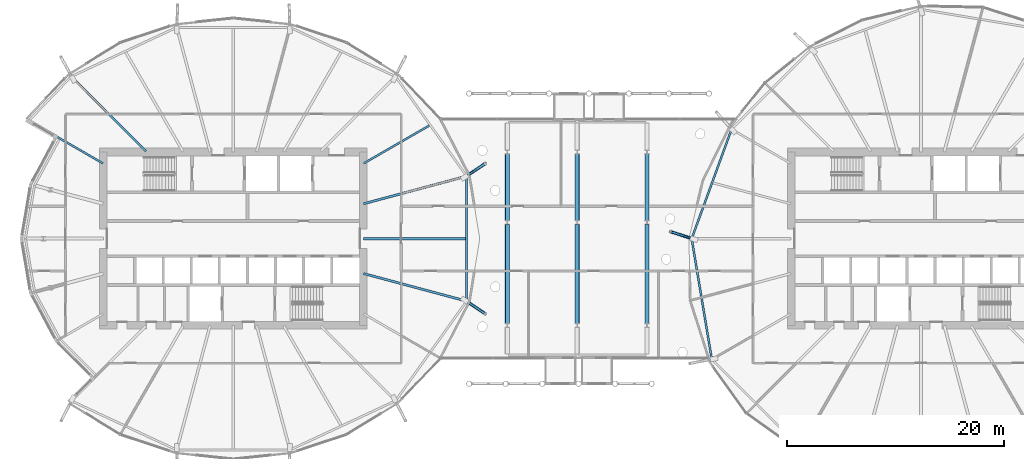
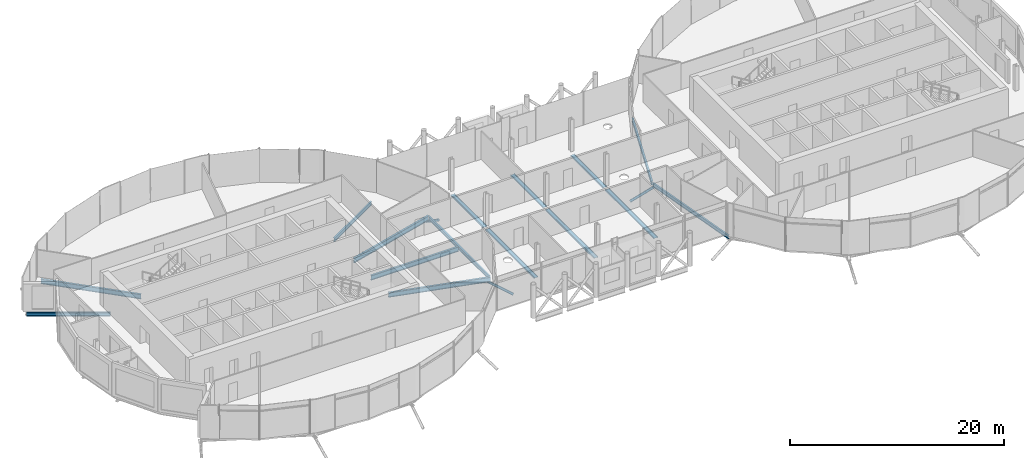
# One storey, part 8 of 40: 15 beams, 3 members.
"""IFC4 building model written with IfcOpenShell, lengths in metres."""

import ifcopenshell
import ifcopenshell.guid

model = None  # the IFC model being written
_history = None  # IfcOwnerHistory: only IFC2X3 demands one
_inside = {}  # id of a spatial element -> (the spatial element, [elements in it])
_under = {}  # id of a project, library or spatial element -> (it, [spatial elements below it])
_declared = {}  # id of a project -> (the project, [libraries it declares])
_typed = {}  # id of a type object -> (the type object, [elements of that type])
_made_of = {}  # id of a material, layer set ... -> (it, [elements and type objects made of it])


def new_model(schema):
    """Start an empty IFC model of exactly this schema.

    Asked for "IFC4X3", IfcOpenShell would pick the latest addendum, in which some entities
    have other attributes; the version numbers below select the first issue.
    IFC2X3 requires an IfcOwnerHistory on every rooted entity: one is made here for all.
    """
    global model, _history
    if schema == "IFC4X3":
        model = ifcopenshell.file(schema_version=(4, 3, 0, 0))
    else:
        model = ifcopenshell.file(schema=schema)
    _inside.clear()
    _under.clear()
    _declared.clear()
    _typed.clear()
    _made_of.clear()
    _history = None
    if model.schema == "IFC2X3":
        org = make("IfcOrganization", Name="unknown")
        user = make(
            "IfcPersonAndOrganization",
            ThePerson=make("IfcPerson", FamilyName="unknown"),
            TheOrganization=org,
        )
        app = make(
            "IfcApplication",
            ApplicationDeveloper=org,
            Version="unknown",
            ApplicationFullName="unknown",
            ApplicationIdentifier="unknown",
        )
        _history = make(
            "IfcOwnerHistory",
            OwningUser=user,
            OwningApplication=app,
            ChangeAction="ADDED",
            CreationDate=0,
        )
    return model


def make(cls, **values):
    """One entity of the class cls with the attributes given. An attribute that is None is left unset."""
    return model.create_entity(
        cls, **{name: value for name, value in values.items() if value is not None}
    )


def rooted(cls, **values):
    """An entity with a GlobalId (a new one), such as an element, a storey or a relation."""
    return make(cls, GlobalId=ifcopenshell.guid.new(), OwnerHistory=_history, **values)


def si_unit(unit_type, name, prefix=None):
    """IfcSIUnit, for example si_unit("LENGTHUNIT", "METRE", prefix="MILLI")."""
    return make("IfcSIUnit", UnitType=unit_type, Prefix=prefix, Name=name)


def assignment(units):
    """IfcUnitAssignment: the units of a project."""
    return None if units is None else make("IfcUnitAssignment", Units=units)


def point(xyz):
    """IfcCartesianPoint."""
    return None if xyz is None else make("IfcCartesianPoint", Coordinates=xyz)


def direction(xyz):
    """IfcDirection."""
    return None if xyz is None else make("IfcDirection", DirectionRatios=xyz)


def frame(location, z_axis=None, x_axis=None):
    """IfcAxis2Placement3D, a coordinate frame: its origin and axes. An axis left out is left unset."""
    return make(
        "IfcAxis2Placement3D",
        Location=point(location),
        Axis=direction(z_axis),
        RefDirection=direction(x_axis),
    )


def frame_2d(location, x_axis=None):
    """IfcAxis2Placement2D, a coordinate frame in the plane: its origin and x axis."""
    return make(
        "IfcAxis2Placement2D", Location=point(location), RefDirection=direction(x_axis)
    )


def origin():
    """The frame at (0, 0, 0) with its axes left unset."""
    return frame((0.0, 0.0, 0.0))


def origin_2d():
    """The frame at (0, 0) in the plane with its x axis left unset."""
    return frame_2d((0.0, 0.0))


def place(relative_to, where):
    """IfcLocalPlacement: puts the frame where relative to a parent placement (None: the world)."""
    return make(
        "IfcLocalPlacement", PlacementRelTo=relative_to, RelativePlacement=where
    )


def context(
    kind, dimensions, precision=None, world=None, true_north=None, identifier=None
):
    """IfcGeometricRepresentationContext, for example the 3D "Model" context."""
    return make(
        "IfcGeometricRepresentationContext",
        ContextIdentifier=identifier,
        ContextType=kind,
        CoordinateSpaceDimension=dimensions,
        Precision=precision,
        WorldCoordinateSystem=world,
        TrueNorth=true_north,
    )


def subcontext(parent, identifier, kind, view, scale=None):
    """IfcGeometricRepresentationSubContext, for example "Body" below "Model"."""
    return make(
        "IfcGeometricRepresentationSubContext",
        ContextIdentifier=identifier,
        ContextType=kind,
        ParentContext=parent,
        TargetScale=scale,
        TargetView=view,
    )


def project(units=None, contexts=None):
    """IfcProject with its units and contexts."""
    return rooted(
        "IfcProject",
        Name="project",
        RepresentationContexts=contexts,
        UnitsInContext=assignment(units),
    )


def spatial(cls, under=None, at=None, **own):
    """A site, building, storey or space (cls), placed at a placement, below another one or the project."""
    s = rooted(cls, ObjectPlacement=at, **own)
    if under is not None:
        _under.setdefault(under.id(), (under, []))[1].append(s)
    return s


def profile(cls, at=None, kind="AREA", **sizes):
    """A parametric profile (cls). Its sizes go by their IFC names, for example OverallWidth=200.0."""
    return make(cls, ProfileType=kind, Position=at, **sizes)


def hollow_circle(**sizes):
    """IfcCircleHollowProfileDef."""
    return profile("IfcCircleHollowProfileDef", **sizes)


def i_section(**sizes):
    """IfcIShapeProfileDef."""
    return profile("IfcIShapeProfileDef", **sizes)


def extrude(swept, where, along, depth):
    """IfcExtrudedAreaSolid: the profile swept, set in the frame where, extruded along a direction by depth."""
    return make(
        "IfcExtrudedAreaSolid",
        SweptArea=swept,
        Position=where,
        ExtrudedDirection=direction(along),
        Depth=depth,
    )


def clip(a, b, op="DIFFERENCE"):
    """IfcBooleanClippingResult: the solid a cut by the half space b."""
    return make(
        "IfcBooleanClippingResult", Operator=op, FirstOperand=a, SecondOperand=b
    )


def halfspace(plane, agree):
    """IfcHalfSpaceSolid: all space on one side of the plane z = 0 of the frame plane."""
    return make(
        "IfcHalfSpaceSolid",
        BaseSurface=make("IfcPlane", Position=plane),
        AgreementFlag=agree,
    )


def shape(context_of_items, identifier, shape_type, items):
    """IfcShapeRepresentation: the items that make up one representation, for example the "Body"."""
    return make(
        "IfcShapeRepresentation",
        ContextOfItems=context_of_items,
        RepresentationIdentifier=identifier,
        RepresentationType=shape_type,
        Items=items,
    )


def material(Name=None, Category=None):
    """IfcMaterial."""
    return make("IfcMaterial", Name=Name, Category=Category)


def material_profile(
    of_material, cross_section, Name=None, Category=None, Priority=None
):
    """IfcMaterialProfile: a cross section and its material."""
    return make(
        "IfcMaterialProfile",
        Name=Name,
        Material=of_material,
        Profile=cross_section,
        Priority=Priority,
        Category=Category,
    )


def profile_set(profiles, Name=None, composite=None):
    """IfcMaterialProfileSet."""
    return make(
        "IfcMaterialProfileSet",
        Name=Name,
        MaterialProfiles=profiles,
        CompositeProfile=composite,
    )


def made_of(thing, what):
    """Note that an element or type object is made of a material, layer set ...; save() writes the relation."""
    if what is not None:
        _made_of.setdefault(what.id(), (what, []))[1].append(thing)
    return thing


def type_object(cls, material=None, **own):
    """A type object (cls), such as IfcWallType, which elements share."""
    return made_of(rooted(cls, **own), material)


def element(
    cls,
    number,
    at=None,
    inside=None,
    cuts=None,
    type_object=None,
    material=None,
    context=None,
    identifier="Body",
    shape_type=None,
    held_by="IfcProductDefinitionShape",
    body=None,
    shapes=None,
    **own,
):
    """One element of the class cls, such as IfcWall. Its Tag is "e" and its number.

    at: its placement. inside: the storey or other place that contains it. cuts: it is an
    opening in that element (IfcRelVoidsElement). A single representation is given by context,
    identifier, shape_type and body (its items); several are given by shapes. held_by: the class
    of the entity that holds the representations. save() writes the other relations.
    """
    e = rooted(cls, Tag="e%d" % number, ObjectPlacement=at, **own)
    if body is not None:
        shapes = [shape(context, identifier, shape_type, body)]
    if shapes is not None:
        e.Representation = make(held_by, Representations=shapes)
    if inside is not None:
        _inside.setdefault(inside.id(), (inside, []))[1].append(e)
    if cuts is not None:
        rooted(
            "IfcRelVoidsElement", RelatingBuildingElement=cuts, RelatedOpeningElement=e
        )
    if type_object is not None:
        _typed.setdefault(type_object.id(), (type_object, []))[1].append(e)
    return made_of(e, material)


def aggregate(whole, parts):
    """IfcRelAggregates: a whole, such as a stair, and the parts it consists of."""
    return rooted("IfcRelAggregates", RelatingObject=whole, RelatedObjects=parts)


def save(model, path):
    """Write the relations noted so far, then the file.

    IfcRelAggregates (storeys below a building ...), IfcRelContainedInSpatialStructure (elements
    in a storey), IfcRelDefinesByType, IfcRelAssociatesMaterial and IfcRelDeclares: one each for
    every whole, place, type object, material and project.
    """
    for whole, parts in _under.values():
        aggregate(whole, parts)
    for where, things in _inside.values():
        rooted(
            "IfcRelContainedInSpatialStructure",
            RelatedElements=things,
            RelatingStructure=where,
        )
    for kind, things in _typed.values():
        rooted("IfcRelDefinesByType", RelatedObjects=things, RelatingType=kind)
    for what, things in _made_of.values():
        rooted("IfcRelAssociatesMaterial", RelatedObjects=things, RelatingMaterial=what)
    for by, libraries in _declared.values():
        rooted("IfcRelDeclares", RelatingContext=by, RelatedDefinitions=libraries)
    model.write(path)


model = new_model("IFC4")

# Units and contexts
model_context = context("Model", 3, precision=1e-05, world=origin(), true_north=direction((0.0, 1.0)))
body_context = subcontext(model_context, "Body", "Model", "MODEL_VIEW")
ifc_project = project(units=[si_unit("LENGTHUNIT", "METRE"), si_unit("AREAUNIT", "SQUARE_METRE"), si_unit("VOLUMEUNIT", "CUBIC_METRE"), si_unit("PLANEANGLEUNIT", "RADIAN"), si_unit("MASSUNIT", "GRAM", prefix="KILO")], contexts=[model_context])

# Site, building, storey
site_placement = place(None, origin())
site = spatial("IfcSite", under=ifc_project, at=site_placement, CompositionType="ELEMENT")
building_placement = place(site_placement, origin())
building = spatial("IfcBuilding", under=site, at=building_placement, Name="Rimbun Link Towers", CompositionType="ELEMENT")
storey_placement = place(building_placement, frame((0.0, 0.0, 150.60009765625)))
storey = spatial("IfcBuildingStorey", under=building, at=storey_placement, Name="L36", CompositionType="ELEMENT", Elevation=150.60009765625)

# Members
ifc_material_1 = material(Name="Steel S355J2H", Category="steel")
ifc_material_profile_1 = material_profile(ifc_material_1, hollow_circle(Radius=0.136474609375, WallThickness=0.012451171875, at=origin_2d()), Name="CHS 273x12.5")
ifc_profile_set_1 = profile_set([ifc_material_profile_1], Name="Steel S355J2H")
member_type = type_object("IfcMemberType", Name="Floor edge link CHS 273x12.5", PredefinedType="BRACE", material=ifc_profile_set_1)
for number, where, z_axis, x_axis, name in (
    (1, (-10.252197265625, 5.76025390625, -0.831298828125), (0.721920488874, 0.482712901639, -0.495801434383), (-0.555841707553, 0.8312881547, 0.0), "Floor edge link T1 L36 01"),
    (2, (-10.252197265625, -5.76025390625, -0.831298828125), (0.721920488874, -0.482712901639, -0.495801434383), (0.555841707553, 0.8312881547, 0.0), "Floor edge link T1 L36 23"),
):
    element("IfcMember", number, at=place(storey_placement, frame(where, z_axis=z_axis, x_axis=x_axis)), inside=storey, type_object=member_type, Name=name, PredefinedType="BRACE", context=body_context, shape_type="Clipping", body=[
        clip(extrude(hollow_circle(Radius=0.136474609375, WallThickness=0.012451171875, at=origin_2d()), frame((0.0, 0.0, -0.498291015625)), (0.0, 0.0, 1.0), 2.997802734375), halfspace(frame((0.0, 0.0, -0.234130859375), z_axis=(0.0, 0.868435914541, -0.495801434383)), False)),
    ])
member_placement = place(storey_placement, frame((10.625732421875, 0.0, -0.8310546875), z_axis=(-0.825168857116, 0.266582445097, -0.498026261569), x_axis=(-0.307419445626, -0.951574108754, 0.0)))
element("IfcMember", 3, at=member_placement, inside=storey, type_object=member_type, Name="Floor edge link T2 L36 09", PredefinedType="BRACE", context=body_context, shape_type="Clipping", body=[
    clip(extrude(hollow_circle(Radius=0.136474609375, WallThickness=0.012451171875, at=origin_2d()), frame((0.0, 0.0, -0.495361328125)), (0.0, 0.0, 1.0), 2.982666015625), halfspace(frame((0.0, 0.0, -0.232666015625), z_axis=(0.0, 0.867161947267, -0.498026261569)), False)),
])

# Beams
ifc_material_2 = material(Name="Steel S355J2", Category="steel")
ifc_material_profile_2 = material_profile(ifc_material_2, i_section(OverallWidth=0.177978515625, OverallDepth=0.406494140625, WebThickness=0.0078125, FlangeThickness=0.0126953125, at=origin_2d()), Name="UKB 406x178x60")
ifc_profile_set_2 = profile_set([ifc_material_profile_2], Name="Steel S355J2")
beam_type_1 = type_object("IfcBeamType", Name="Link floor beam UKB 406x178x60", PredefinedType="BEAM", material=ifc_profile_set_2)
beam_1_placement = place(storey_placement, frame((-6.449951171875, -7.8125, -0.36328125), z_axis=(0.0, 1.0, 0.0), x_axis=(0.0, 0.0, 1.0)))
element("IfcBeam", 4, at=beam_1_placement, inside=storey, type_object=beam_type_1, Name="Link floor beam L36 01", PredefinedType="BEAM", context=body_context, shape_type="SweptSolid", body=[
    extrude(i_section(OverallWidth=0.177978515625, OverallDepth=0.406494140625, WebThickness=0.0078125, FlangeThickness=0.0126953125, at=origin_2d()), origin(), (0.0, 0.0, 1.0), 9.125244140625),
])
beam_2_placement = place(storey_placement, frame((-6.449951171875, 1.687255859375, -0.36328125), z_axis=(0.0, 1.0, 0.0), x_axis=(0.0, 0.0, 1.0)))
element("IfcBeam", 5, at=beam_2_placement, inside=storey, type_object=beam_type_1, Name="Link floor beam L36 02", PredefinedType="BEAM", context=body_context, shape_type="SweptSolid", body=[
    extrude(i_section(OverallWidth=0.177978515625, OverallDepth=0.406494140625, WebThickness=0.0078125, FlangeThickness=0.0126953125, at=origin_2d()), origin(), (0.0, 0.0, 1.0), 6.125244140625),
])
beam_3_placement = place(storey_placement, frame((0.0, -7.8125, -0.36328125), z_axis=(0.0, 1.0, 0.0), x_axis=(0.0, 0.0, 1.0)))
element("IfcBeam", 6, at=beam_3_placement, inside=storey, type_object=beam_type_1, Name="Link floor beam L36 05", PredefinedType="BEAM", context=body_context, shape_type="SweptSolid", body=[
    extrude(i_section(OverallWidth=0.177978515625, OverallDepth=0.406494140625, WebThickness=0.0078125, FlangeThickness=0.0126953125, at=origin_2d()), origin(), (0.0, 0.0, 1.0), 9.125244140625),
])
beam_4_placement = place(storey_placement, frame((0.0, 1.687255859375, -0.36328125), z_axis=(0.0, 1.0, 0.0), x_axis=(0.0, 0.0, 1.0)))
element("IfcBeam", 7, at=beam_4_placement, inside=storey, type_object=beam_type_1, Name="Link floor beam L36 06", PredefinedType="BEAM", context=body_context, shape_type="SweptSolid", body=[
    extrude(i_section(OverallWidth=0.177978515625, OverallDepth=0.406494140625, WebThickness=0.0078125, FlangeThickness=0.0126953125, at=origin_2d()), origin(), (0.0, 0.0, 1.0), 6.125244140625),
])
beam_5_placement = place(storey_placement, frame((6.449951171875, -7.8125, -0.36328125), z_axis=(0.0, 1.0, 0.0), x_axis=(0.0, 0.0, 1.0)))
element("IfcBeam", 8, at=beam_5_placement, inside=storey, type_object=beam_type_1, Name="Link floor beam L36 09", PredefinedType="BEAM", context=body_context, shape_type="SweptSolid", body=[
    extrude(i_section(OverallWidth=0.177978515625, OverallDepth=0.406494140625, WebThickness=0.0078125, FlangeThickness=0.0126953125, at=origin_2d()), origin(), (0.0, 0.0, 1.0), 9.125244140625),
])
beam_6_placement = place(storey_placement, frame((6.449951171875, 1.687255859375, -0.36328125), z_axis=(0.0, 1.0, 0.0), x_axis=(0.0, 0.0, 1.0)))
element("IfcBeam", 9, at=beam_6_placement, inside=storey, type_object=beam_type_1, Name="Link floor beam L36 10", PredefinedType="BEAM", context=body_context, shape_type="SweptSolid", body=[
    extrude(i_section(OverallWidth=0.177978515625, OverallDepth=0.406494140625, WebThickness=0.0078125, FlangeThickness=0.0126953125, at=origin_2d()), origin(), (0.0, 0.0, 1.0), 6.125244140625),
])
ifc_material_3 = material(Name="Steel S355J2", Category="steel")
ifc_material_profile_3 = material_profile(ifc_material_3, i_section(OverallWidth=0.177978515625, OverallDepth=0.406494140625, WebThickness=0.0078125, FlangeThickness=0.0126953125, at=origin_2d()), Name="UB 406x178x60")
ifc_profile_set_3 = profile_set([ifc_material_profile_3], Name="Steel S355J2")
beam_type_2 = type_object("IfcBeamType", Name="UB 406x178x60", PredefinedType="BEAM", material=ifc_profile_set_3)
beam_7_placement = place(storey_placement, frame((-19.70458984375, 6.954345703125, -0.38330078125), z_axis=(0.866015068498, 0.500017900814, 0.0), x_axis=(-0.500017900814, 0.866015068498, 0.0)))
element("IfcBeam", 10, at=beam_7_placement, inside=storey, type_object=beam_type_2, Name="Radial beam T1 L36 02", PredefinedType="BEAM", context=body_context, shape_type="SweptSolid", body=[
    extrude(i_section(OverallWidth=0.177978515625, OverallDepth=0.406494140625, WebThickness=0.0078125, FlangeThickness=0.0126953125, at=origin_2d()), origin(), (0.0, 0.0, 1.0), 6.986083984375),
])
beam_8_placement = place(storey_placement, frame((-43.79541015625, 6.954345703125, -0.38330078125), z_axis=(-0.866028250644, 0.499995069063, 0.0), x_axis=(-0.499995069063, -0.866028250644, 0.0)))
element("IfcBeam", 11, at=beam_8_placement, inside=storey, type_object=beam_type_2, Name="Radial beam T1 L36 10", PredefinedType="BEAM", context=body_context, shape_type="SweptSolid", body=[
    extrude(i_section(OverallWidth=0.177978515625, OverallDepth=0.406494140625, WebThickness=0.0078125, FlangeThickness=0.0126953125, at=origin_2d()), origin(), (0.0, 0.0, 1.0), 7.8037109375),
])
beam_9_placement = place(storey_placement, frame((-10.2041015625, -5.663818359375, -0.38330078125), z_axis=(0.0, 1.0, 0.0), x_axis=(-1.0, 0.0, 0.0)))
element("IfcBeam", 12, at=beam_9_placement, inside=storey, type_object=beam_type_2, Name="Edge beam T1 L36 23-01", PredefinedType="BEAM", context=body_context, shape_type="SweptSolid", body=[
    extrude(i_section(OverallWidth=0.177978515625, OverallDepth=0.406494140625, WebThickness=0.0078125, FlangeThickness=0.0126953125, at=origin_2d()), origin(), (0.0, 0.0, 1.0), 11.32763671875),
])
beam_10_placement = place(storey_placement, frame((14.224609375, 10.018310546875, -0.38330078125), z_axis=(-0.342226131453, -0.939617621669, 0.0), x_axis=(0.939617621669, -0.342226131453, 0.0)))
element("IfcBeam", 13, at=beam_10_placement, inside=storey, type_object=beam_type_2, Name="Edge beam T2 L36 07-09", PredefinedType="BEAM", context=body_context, shape_type="SweptSolid", body=[
    extrude(i_section(OverallWidth=0.177978515625, OverallDepth=0.406494140625, WebThickness=0.0078125, FlangeThickness=0.0126953125, at=origin_2d()), origin(), (0.0, 0.0, 1.0), 10.549560546875),
])
beam_11_placement = place(storey_placement, frame((10.593505859375, -0.105712890625, -0.38330078125), z_axis=(0.164192057135, -0.986428389886, 0.0), x_axis=(0.986428389886, 0.164192057135, 0.0)))
element("IfcBeam", 14, at=beam_11_placement, inside=storey, type_object=beam_type_2, Name="Edge beam T2 L36 09-11", PredefinedType="BEAM", context=body_context, shape_type="SweptSolid", body=[
    extrude(i_section(OverallWidth=0.177978515625, OverallDepth=0.406494140625, WebThickness=0.0078125, FlangeThickness=0.0126953125, at=origin_2d()), origin(), (0.0, 0.0, 1.0), 11.096923828125),
])
ifc_material_4 = material(Name="Steel S355J2", Category="steel")
ifc_material_profile_4 = material_profile(ifc_material_4, i_section(OverallWidth=0.209228515625, OverallDepth=0.533203125, WebThickness=0.010009765625, FlangeThickness=0.015625, at=origin_2d()), Name="UB 533x210x92")
ifc_profile_set_4 = profile_set([ifc_material_profile_4], Name="Steel S355J2")
beam_type_3 = type_object("IfcBeamType", Name="UB 533x210x92", PredefinedType="BEAM", material=ifc_profile_set_4)
beam_12_placement = place(storey_placement, frame((-19.7490234375, 0.0, -0.44677734375), z_axis=(1.0, 0.0, 0.0), x_axis=(0.0, 1.0, 0.0)))
element("IfcBeam", 15, at=beam_12_placement, inside=storey, type_object=beam_type_3, Name="Radial beam T1 L36 00", PredefinedType="BEAM", context=body_context, shape_type="SweptSolid", body=[
    extrude(i_section(OverallWidth=0.209228515625, OverallDepth=0.533203125, WebThickness=0.010009765625, FlangeThickness=0.015625, at=origin_2d()), origin(), (0.0, 0.0, 1.0), 9.455078125),
])
beam_13_placement = place(storey_placement, frame((-19.721923828125, 3.222900390625, -0.44677734375), z_axis=(0.965925821748, 0.258819062049, 0.0), x_axis=(-0.258819062049, 0.965925821748, 0.0)))
element("IfcBeam", 16, at=beam_13_placement, inside=storey, type_object=beam_type_3, Name="Radial beam T1 L36 01", PredefinedType="BEAM", context=body_context, shape_type="SweptSolid", body=[
    extrude(i_section(OverallWidth=0.209228515625, OverallDepth=0.533203125, WebThickness=0.010009765625, FlangeThickness=0.015625, at=origin_2d()), origin(), (0.0, 0.0, 1.0), 9.853515625),
])
beam_14_placement = place(storey_placement, frame((-39.82470703125, 8.07470703125, -0.44677734375), z_axis=(-0.707106781187, 0.707106781187, 0.0), x_axis=(-0.707106781187, -0.707106781187, 0.0)))
element("IfcBeam", 17, at=beam_14_placement, inside=storey, type_object=beam_type_3, Name="Radial beam T1 L36 09", PredefinedType="BEAM", context=body_context, shape_type="SweptSolid", body=[
    extrude(i_section(OverallWidth=0.209228515625, OverallDepth=0.533203125, WebThickness=0.010009765625, FlangeThickness=0.015625, at=origin_2d()), origin(), (0.0, 0.0, 1.0), 9.664794921875),
])
beam_15_placement = place(storey_placement, frame((-19.721923828125, -3.222900390625, -0.44677734375), z_axis=(0.965925821748, -0.258819062049, 0.0), x_axis=(0.258819062049, 0.965925821748, 0.0)))
element("IfcBeam", 18, at=beam_15_placement, inside=storey, type_object=beam_type_3, Name="Radial beam T1 L36 23", PredefinedType="BEAM", context=body_context, shape_type="SweptSolid", body=[
    extrude(i_section(OverallWidth=0.209228515625, OverallDepth=0.533203125, WebThickness=0.010009765625, FlangeThickness=0.015625, at=origin_2d()), origin(), (0.0, 0.0, 1.0), 9.853515625),
])

save(model, "model.ifc")
